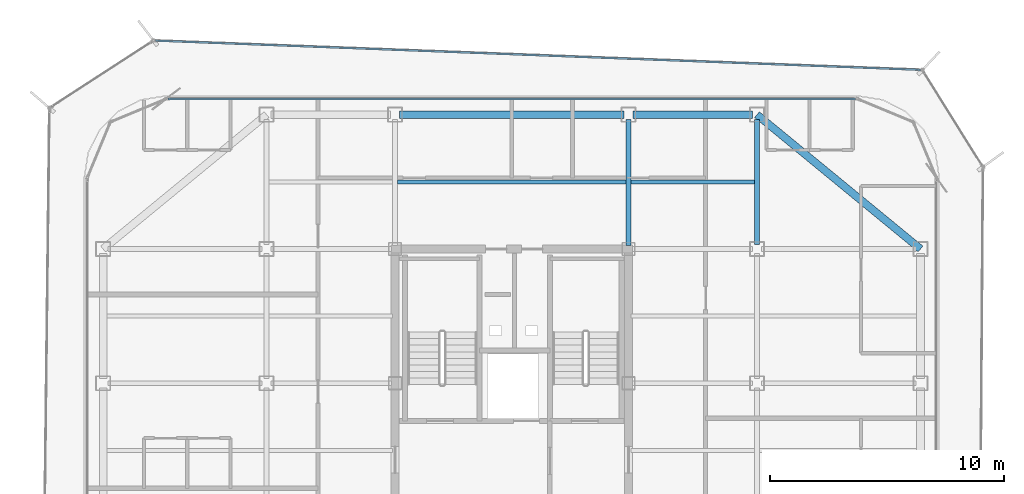
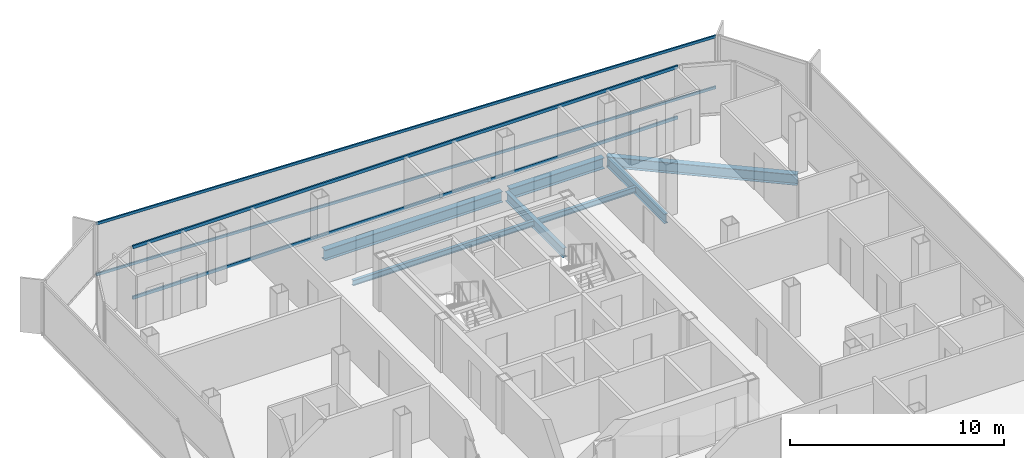
# One storey, part 7 of 15: 7 beams, 4 members, 2 elements without a shape of their own.
"""IFC4 building model written with IfcOpenShell, lengths in metres."""

from ifc_helpers import new_model, si_unit, direction, frame, origin, origin_2d, place, context, subcontext, project, spatial, hollow_rectangle, i_section, extrude, source, transform, mapped, material, layer, layer_set, material_profile, profile_set, type_object, element, aggregate, save


model = new_model("IFC4")

# Units and contexts
model_context = context("Model", 3, precision=1e-05, world=origin(), true_north=direction((0.0, 1.0)))
body_context = subcontext(model_context, "Body", "Model", "MODEL_VIEW")
ifc_project = project(units=[si_unit("LENGTHUNIT", "METRE"), si_unit("AREAUNIT", "SQUARE_METRE"), si_unit("VOLUMEUNIT", "CUBIC_METRE"), si_unit("PLANEANGLEUNIT", "RADIAN"), si_unit("MASSUNIT", "GRAM", prefix="KILO")], contexts=[model_context])

# Site, building, storey
site_placement = place(None, origin())
site = spatial("IfcSite", under=ifc_project, at=site_placement, CompositionType="ELEMENT")
building_placement = place(site_placement, origin())
building = spatial("IfcBuilding", under=site, at=building_placement, Name="Kolveth Station Tower", CompositionType="ELEMENT")
storey_placement = place(building_placement, frame((0.0, 0.0, 229.699951171875)))
storey = spatial("IfcBuildingStorey", under=building, at=storey_placement, Name="L65", CompositionType="ELEMENT", Elevation=229.699951171875)

# Beams
ifc_material_1 = material(Name="Steel S355", Category="steel")
ifc_material_profile_1 = material_profile(ifc_material_1, i_section(OverallWidth=0.323974609375, OverallDepth=0.611083984375, WebThickness=0.0126953125, FlangeThickness=0.01904296875, at=origin_2d()), Name="W610x155")
ifc_profile_set_1 = profile_set([ifc_material_profile_1], Name="Steel S355")
beam_type_1 = type_object("IfcBeamType", Name="Beam_SP2", PredefinedType="SPANDREL", material=ifc_profile_set_1)
shared_shape_1 = source(origin(), body_context, "Body", "SweptSolid", [
    extrude(i_section(OverallWidth=0.323974609375, OverallDepth=0.611083984375, WebThickness=0.0126953125, FlangeThickness=0.01904296875, at=origin_2d()), origin(), (0.0, 0.0, 1.0), 9.058837890625),
])
beam_1_placement = place(storey_placement, frame((41.0, 28.75, -0.525390625), z_axis=(-0.772726254525, 0.63473942336, 0.0), x_axis=(-0.63473942336, -0.772726254525, 0.0)))
element("IfcBeam", 1, at=beam_1_placement, inside=storey, type_object=beam_type_1, Name="L65 Corner Edge Girder BM-L65-CNR-NE", PredefinedType="SPANDREL", context=body_context, shape_type="MappedRepresentation", body=[
    mapped(shared_shape_1, transform((0.0, 0.0, 0.0), x_axis=(1.0, 0.0, 0.0), y_axis=(0.0, 1.0, 0.0), z_axis=(0.0, 0.0, 1.0), scale=1.0)),
])
shared_shape_2 = source(origin(), body_context, "Body", "SweptSolid", [
    extrude(i_section(OverallWidth=0.323974609375, OverallDepth=0.611083984375, WebThickness=0.0126953125, FlangeThickness=0.01904296875, at=origin_2d()), origin(), (0.0, 0.0, 1.0), 5.10009765625),
])
beam_2_placement = place(storey_placement, frame((28.699951171875, 34.5, -0.525390625), z_axis=(1.0, 0.0, 0.0), x_axis=(0.0, 1.0, 0.0)))
element("IfcBeam", 2, at=beam_2_placement, inside=storey, type_object=beam_type_1, Name="L65 Perimeter Spandrel BM-L65-PN-3", PredefinedType="SPANDREL", context=body_context, shape_type="MappedRepresentation", body=[
    mapped(shared_shape_2, transform((0.0, 0.0, 0.0), x_axis=(1.0, 0.0, 0.0), y_axis=(0.0, 1.0, 0.0), z_axis=(0.0, 0.0, 1.0), scale=1.0)),
])
shared_shape_3 = source(origin(), body_context, "Body", "SweptSolid", [
    extrude(i_section(OverallWidth=0.323974609375, OverallDepth=0.611083984375, WebThickness=0.0126953125, FlangeThickness=0.01904296875, at=origin_2d()), origin(), (0.0, 0.0, 1.0), 9.60009765625),
])
beam_3_placement = place(storey_placement, frame((18.699951171875, 34.5, -0.525390625), z_axis=(1.0, 0.0, 0.0), x_axis=(0.0, 1.0, 0.0)))
element("IfcBeam", 3, at=beam_3_placement, inside=storey, type_object=beam_type_1, Name="L65 Perimeter Spandrel BM-L65-PN-2", PredefinedType="SPANDREL", context=body_context, shape_type="MappedRepresentation", body=[
    mapped(shared_shape_3, transform((0.0, 0.0, 0.0), x_axis=(1.0, 0.0, 0.0), y_axis=(0.0, 1.0, 0.0), z_axis=(0.0, 0.0, 1.0), scale=1.0)),
])
ifc_material_profile_2 = material_profile(ifc_material_1, i_section(OverallWidth=0.2099609375, OverallDepth=0.537109375, WebThickness=0.010986328125, FlangeThickness=0.017333984375, at=origin_2d()), Name="W530x101")
ifc_profile_set_2 = profile_set([ifc_material_profile_2], Name="Steel S355")
beam_type_2 = type_object("IfcBeamType", Name="Beam_B6", PredefinedType="BEAM", material=ifc_profile_set_2)
shared_shape_4 = source(origin(), body_context, "Body", "SweptSolid", [
    extrude(i_section(OverallWidth=0.2099609375, OverallDepth=0.537109375, WebThickness=0.010986328125, FlangeThickness=0.017333984375, at=origin_2d()), origin(), (0.0, 0.0, 1.0), 5.35009765625),
])
beam_4_placement = place(storey_placement, frame((34.0, 28.949951171875, -0.488525390625), z_axis=(0.0, 1.0, 0.0), x_axis=(-1.0, 0.0, 0.0)))
element("IfcBeam", 4, at=beam_4_placement, inside=storey, type_object=beam_type_2, Name="L65 Primary Girder BM-L65-GX340-6", PredefinedType="BEAM", context=body_context, shape_type="MappedRepresentation", body=[
    mapped(shared_shape_4, transform((0.0, 0.0, 0.0), x_axis=(1.0, 0.0, 0.0), y_axis=(0.0, 1.0, 0.0), z_axis=(0.0, 0.0, 1.0), scale=1.0)),
])
shared_shape_5 = source(origin(), body_context, "Body", "SweptSolid", [
    extrude(i_section(OverallWidth=0.2099609375, OverallDepth=0.537109375, WebThickness=0.010986328125, FlangeThickness=0.017333984375, at=origin_2d()), origin(), (0.0, 0.0, 1.0), 5.39013671875),
])
beam_5_placement = place(storey_placement, frame((28.5, 28.909912109375, -0.488525390625), z_axis=(0.0, 1.0, 0.0), x_axis=(-1.0, 0.0, 0.0)))
element("IfcBeam", 5, at=beam_5_placement, inside=storey, type_object=beam_type_2, Name="L65 Primary Girder BM-L65-GX285-6", PredefinedType="BEAM", context=body_context, shape_type="MappedRepresentation", body=[
    mapped(shared_shape_5, transform((0.0, 0.0, 0.0), x_axis=(1.0, 0.0, 0.0), y_axis=(0.0, 1.0, 0.0), z_axis=(0.0, 0.0, 1.0), scale=1.0)),
])
ifc_material_profile_3 = material_profile(ifc_material_1, i_section(OverallWidth=0.1650390625, OverallDepth=0.31005859375, WebThickness=0.005859375, FlangeThickness=0.009765625, at=origin_2d()), Name="W310x39")
ifc_profile_set_3 = profile_set([ifc_material_profile_3], Name="Steel S355")
beam_type_3 = type_object("IfcBeamType", Name="Beam_J3", PredefinedType="JOIST", material=ifc_profile_set_3)
shared_shape_6 = source(origin(), body_context, "Body", "SweptSolid", [
    extrude(i_section(OverallWidth=0.1650390625, OverallDepth=0.31005859375, WebThickness=0.005859375, FlangeThickness=0.009765625, at=origin_2d()), origin(), (0.0, 0.0, 1.0), 5.2939453125),
])
beam_6_placement = place(storey_placement, frame((28.60302734375, 31.625, -0.375), z_axis=(1.0, 0.0, 0.0), x_axis=(0.0, 1.0, 0.0)))
element("IfcBeam", 6, at=beam_6_placement, inside=storey, type_object=beam_type_3, Name="L65 Secondary Joist JST-L65-4-6", PredefinedType="JOIST", context=body_context, shape_type="MappedRepresentation", body=[
    mapped(shared_shape_6, transform((0.0, 0.0, 0.0), x_axis=(1.0, 0.0, 0.0), y_axis=(0.0, 1.0, 0.0), z_axis=(0.0, 0.0, 1.0), scale=1.0)),
])
shared_shape_7 = source(origin(), body_context, "Body", "SweptSolid", [
    extrude(i_section(OverallWidth=0.1650390625, OverallDepth=0.31005859375, WebThickness=0.005859375, FlangeThickness=0.009765625, at=origin_2d()), origin(), (0.0, 0.0, 1.0), 9.7939453125),
])
beam_7_placement = place(storey_placement, frame((18.60302734375, 31.625, -0.375), z_axis=(1.0, 0.0, 0.0), x_axis=(0.0, 1.0, 0.0)))
element("IfcBeam", 7, at=beam_7_placement, inside=storey, type_object=beam_type_3, Name="L65 Secondary Joist JST-L65-3-6", PredefinedType="JOIST", context=body_context, shape_type="MappedRepresentation", body=[
    mapped(shared_shape_7, transform((0.0, 0.0, 0.0), x_axis=(1.0, 0.0, 0.0), y_axis=(0.0, 1.0, 0.0), z_axis=(0.0, 0.0, 1.0), scale=1.0)),
])

# Curtain wall, members
ifc_material_2 = material(Name="Aluminium 6063-T6 and triple low-E dark glass", Category="aluminium")
ifc_layer_1 = layer(ifc_material_2, 0.199951171875)
ifc_layer_set_1 = layer_set([ifc_layer_1], Name="Aluminium 6063-T6 and triple low-E dark glass")
curtain_wall_type_1 = type_object("IfcCurtainWallType", Name="CurtainWall_CW-Z3", PredefinedType="NOTDEFINED", material=ifc_layer_set_1)
curtain_wall_1_placement = place(storey_placement, origin())
curtain_wall_1 = element("IfcCurtainWall", 8, at=curtain_wall_1_placement, inside=storey, type_object=curtain_wall_type_1, Name="L65 Inner Thermal Curtain Wall 6", PredefinedType="NOTDEFINED")
ifc_material_3 = material(Name="Black anodized aluminium 6063-T6", Category="aluminium")
ifc_material_profile_4 = material_profile(ifc_material_3, hollow_rectangle(XDim=0.0849609375, YDim=0.179931640625, WallThickness=0.0048828125, at=origin_2d()), Name="ALU-85x180x5")
ifc_profile_set_4 = profile_set([ifc_material_profile_4], Name="Black anodized aluminium 6063-T6")
member_type_1 = type_object("IfcMemberType", Name="Transom_TR3", PredefinedType="USERDEFINED", material=ifc_profile_set_4)
shared_shape_8 = source(origin(), body_context, "Body", "SweptSolid", [
    extrude(hollow_rectangle(XDim=0.0849609375, YDim=0.179931640625, WallThickness=0.0048828125, at=origin_2d()), origin(), (0.0, 0.0, 1.0), 29.43017578125),
])
member_1_placement = place(storey_placement, frame((38.215087890625, 35.179931640625, 0.04248046875), z_axis=(-1.0, 0.0, 0.0), x_axis=(0.0, -1.0, 0.0)))
member_1 = element("IfcMember", 9, at=member_1_placement, type_object=member_type_1, Name="CW-Z3 transom 1.1", ObjectType="TRANSOM", PredefinedType="USERDEFINED", context=body_context, shape_type="MappedRepresentation", body=[
    mapped(shared_shape_8, transform((0.0, 0.0, 0.0), x_axis=(1.0, 0.0, 0.0), y_axis=(0.0, 1.0, 0.0), z_axis=(0.0, 0.0, 1.0), scale=1.0)),
])
member_2_placement = place(storey_placement, frame((38.215087890625, 35.179931640625, 2.9375), z_axis=(-1.0, 0.0, 0.0), x_axis=(0.0, -1.0, 0.0)))
member_2 = element("IfcMember", 10, at=member_2_placement, type_object=member_type_1, Name="CW-Z3 transom 1.2", ObjectType="TRANSOM", PredefinedType="USERDEFINED", context=body_context, shape_type="MappedRepresentation", body=[
    mapped(shared_shape_8, transform((0.0, 0.0, 0.0), x_axis=(1.0, 0.0, 0.0), y_axis=(0.0, 1.0, 0.0), z_axis=(0.0, 0.0, 1.0), scale=1.0)),
])
aggregate(curtain_wall_1, [member_1, member_2])

ifc_material_4 = material(Name="Black anodized aluminium 6063-T6 and dark solar glass", Category="aluminium")
ifc_layer_2 = layer(ifc_material_4, 0.159912109375)
ifc_layer_set_2 = layer_set([ifc_layer_2], Name="Black anodized aluminium 6063-T6 and dark solar glass")
curtain_wall_type_2 = type_object("IfcCurtainWallType", Name="OUTER SKIN CW-OS", PredefinedType="NOTDEFINED", material=ifc_layer_set_2)
curtain_wall_2_placement = place(storey_placement, origin())
curtain_wall_2 = element("IfcCurtainWall", 11, at=curtain_wall_2_placement, inside=storey, type_object=curtain_wall_type_2, Name="L65 Outer Ventilated Skin Curtain Wall 4", PredefinedType="NOTDEFINED")
ifc_material_profile_5 = material_profile(ifc_material_3, hollow_rectangle(XDim=0.080078125, YDim=0.14990234375, WallThickness=0.0048828125, at=origin_2d()), Name="ALU-80x150x5")
ifc_profile_set_5 = profile_set([ifc_material_profile_5], Name="Black anodized aluminium 6063-T6")
member_type_2 = type_object("IfcMemberType", Name="Transom_TR-OS", PredefinedType="USERDEFINED", material=ifc_profile_set_5)
shared_shape_9 = source(origin(), body_context, "Body", "SweptSolid", [
    extrude(hollow_rectangle(XDim=0.080078125, YDim=0.14990234375, WallThickness=0.0048828125, at=origin_2d()), origin(), (0.0, 0.0, 1.0), 32.7666015625),
])
member_3_placement = place(storey_placement, frame((40.993408203125, 36.419921875, 0.0400390625), z_axis=(-0.999270937314, 0.038178447312, 0.0), x_axis=(-0.038178447312, -0.999270937314, 0.0)))
member_3 = element("IfcMember", 12, at=member_3_placement, type_object=member_type_2, Name="CW-OS transom 1.1", ObjectType="TRANSOM", PredefinedType="USERDEFINED", context=body_context, shape_type="MappedRepresentation", body=[
    mapped(shared_shape_9, transform((0.0, 0.0, 0.0), x_axis=(1.0, 0.0, 0.0), y_axis=(0.0, 1.0, 0.0), z_axis=(0.0, 0.0, 1.0), scale=1.0)),
])
member_4_placement = place(storey_placement, frame((40.993408203125, 36.419921875, 2.949951171875), z_axis=(-0.999270937314, 0.038178447312, 0.0), x_axis=(-0.038178447312, -0.999270937314, 0.0)))
member_4 = element("IfcMember", 13, at=member_4_placement, type_object=member_type_2, Name="CW-OS transom 1.2", ObjectType="TRANSOM", PredefinedType="USERDEFINED", context=body_context, shape_type="MappedRepresentation", body=[
    mapped(shared_shape_9, transform((0.0, 0.0, 0.0), x_axis=(1.0, 0.0, 0.0), y_axis=(0.0, 1.0, 0.0), z_axis=(0.0, 0.0, 1.0), scale=1.0)),
])
aggregate(curtain_wall_2, [member_3, member_4])

save(model, "model.ifc")
